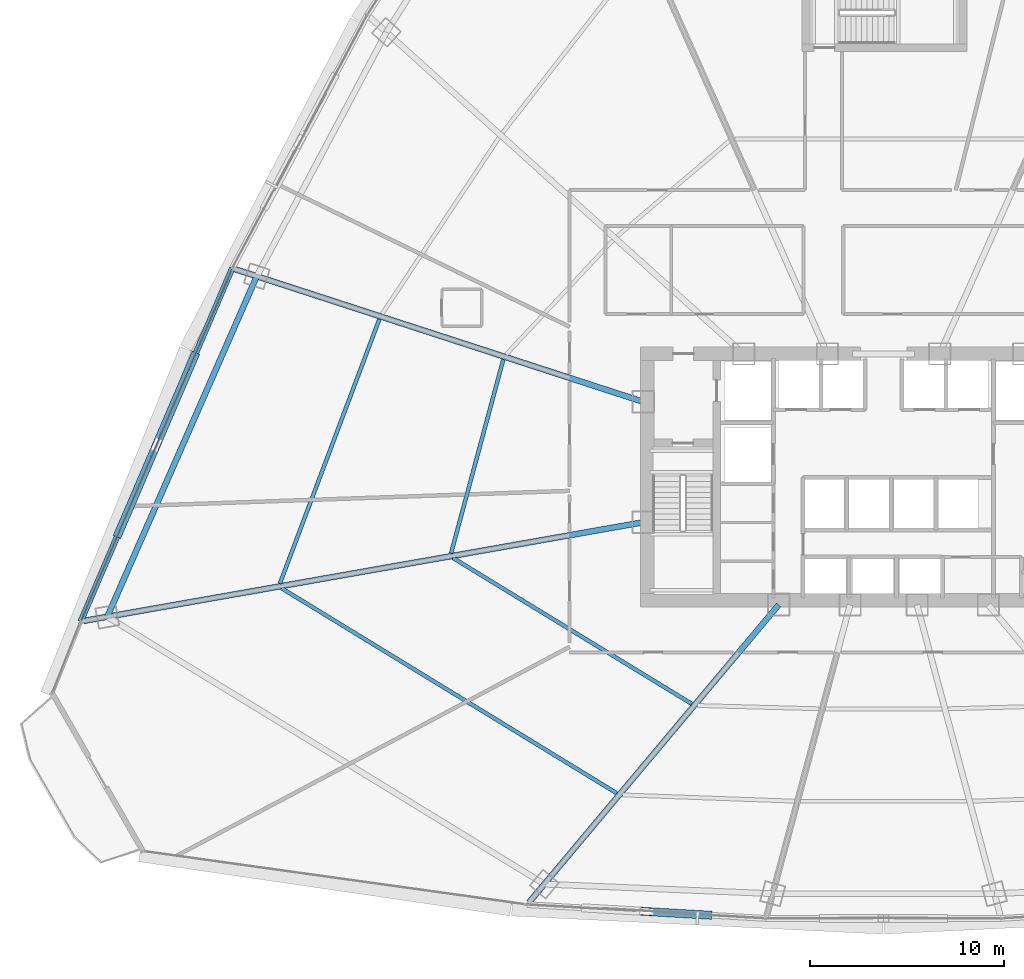
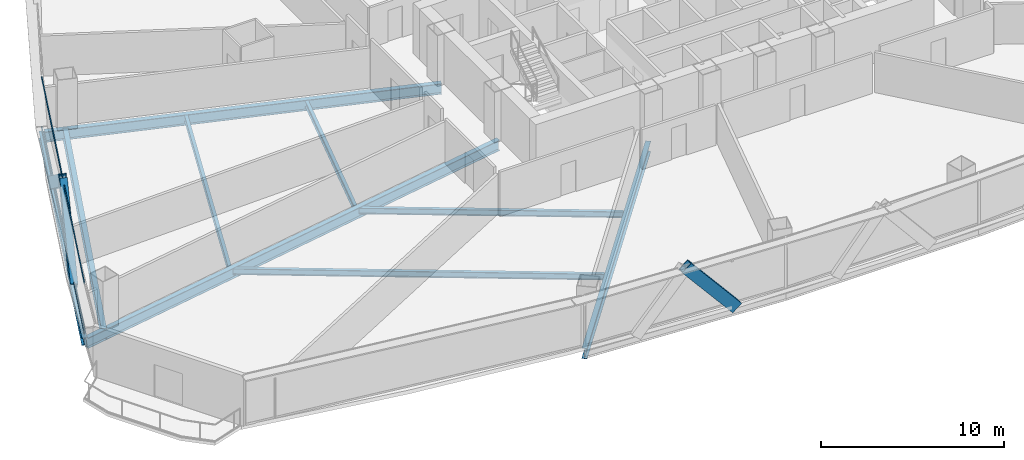
# One storey, part 7 of 37: 9 beams, 5 members, 1 element without a shape of its own.
"""IFC4 building model written with IfcOpenShell, lengths in metres."""

from ifc_helpers import new_model, si_unit, direction, frame, origin, origin_2d, place, context, subcontext, project, spatial, hollow_rectangle, i_section, extrude, source, transform, mapped, material, layer, layer_set, material_profile, profile_set, type_object, element, aggregate, save


model = new_model("IFC4")

# Units and contexts
model_context = context("Model", 3, precision=1e-05, world=origin(), true_north=direction((0.0, 1.0)))
body_context = subcontext(model_context, "Body", "Model", "MODEL_VIEW")
ifc_project = project(units=[si_unit("LENGTHUNIT", "METRE"), si_unit("AREAUNIT", "SQUARE_METRE"), si_unit("VOLUMEUNIT", "CUBIC_METRE"), si_unit("PLANEANGLEUNIT", "RADIAN"), si_unit("MASSUNIT", "GRAM", prefix="KILO"), si_unit("THERMODYNAMICTEMPERATUREUNIT", "KELVIN"), si_unit("POWERUNIT", "WATT")], contexts=[model_context])

# Site, building, storey
site_placement = place(None, origin())
site = spatial("IfcSite", under=ifc_project, at=site_placement, CompositionType="ELEMENT")
building_placement = place(site_placement, origin())
building = spatial("IfcBuilding", under=site, at=building_placement, Name="Yunzhuo Pagoda Commons", CompositionType="ELEMENT")
storey_placement = place(building_placement, frame((0.0, 0.0, 52.179931640625)))
storey = spatial("IfcBuildingStorey", under=building, at=storey_placement, Name="L13", CompositionType="ELEMENT", Elevation=52.179931640625)

# Beams
ifc_material_1 = material(Name="Structural steel Q355B", Category="steel")
ifc_material_profile_1 = material_profile(ifc_material_1, i_section(OverallWidth=0.300048828125, OverallDepth=0.699951171875, WebThickness=0.012939453125, FlangeThickness=0.02392578125, at=origin_2d()), Name="Structural steel Q355B")
ifc_profile_set_1 = profile_set([ifc_material_profile_1], Name="Structural steel Q355B")
beam_type_1 = type_object("IfcBeamType", Name="B-RG1 Beam HN 700x300x13x24", PredefinedType="BEAM", material=ifc_profile_set_1)
shared_shape_1 = source(origin(), body_context, "Body", "SweptSolid", [
    extrude(i_section(OverallWidth=0.300048828125, OverallDepth=0.699951171875, WebThickness=0.012939453125, FlangeThickness=0.02392578125, at=origin_2d()), origin(), (0.0, 0.0, 1.0), 19.18603515625),
])
beam_1_placement = place(storey_placement, frame((15.66455078125, 44.206298828125, -0.60986328125), z_axis=(-0.40196534204, -0.915654882474, 0.0), x_axis=(0.915654882474, -0.40196534204, 0.0)))
element("IfcBeam", 1, at=beam_1_placement, inside=storey, type_object=beam_type_1, Name="L13 column-ring beam 11", PredefinedType="BEAM", context=body_context, shape_type="MappedRepresentation", body=[
    mapped(shared_shape_1, transform((0.0, 0.0, 0.0), scale=1.0)),
])
ifc_material_profile_2 = material_profile(ifc_material_1, i_section(OverallWidth=0.199951171875, OverallDepth=0.39990234375, WebThickness=0.008056640625, FlangeThickness=0.012939453125, at=origin_2d()), Name="Structural steel Q355B")
ifc_profile_set_2 = profile_set([ifc_material_profile_2], Name="Structural steel Q355B")
beam_type_2 = type_object("IfcBeamType", Name="B-JS1 Joist HN 400x200x8x13", PredefinedType="JOIST", material=ifc_profile_set_2)
shared_shape_2 = source(origin(), body_context, "Body", "SweptSolid", [
    extrude(i_section(OverallWidth=0.199951171875, OverallDepth=0.39990234375, WebThickness=0.008056640625, FlangeThickness=0.012939453125, at=origin_2d()), origin(), (0.0, 0.0, 1.0), 14.4365234375),
])
beam_2_placement = place(storey_placement, frame((25.782470703125, 29.675537109375, -0.4599609375), z_axis=(0.85325633277, -0.521491735876, 0.0), x_axis=(0.521491735876, 0.85325633277, 0.0)))
element("IfcBeam", 2, at=beam_2_placement, inside=storey, type_object=beam_type_2, Name="L13 composite ring joist 1.12", PredefinedType="JOIST", context=body_context, shape_type="MappedRepresentation", body=[
    mapped(shared_shape_2, transform((0.0, 0.0, 0.0), scale=1.0)),
])
shared_shape_3 = source(origin(), body_context, "Body", "SweptSolid", [
    extrude(i_section(OverallWidth=0.199951171875, OverallDepth=0.39990234375, WebThickness=0.008056640625, FlangeThickness=0.012939453125, at=origin_2d()), origin(), (0.0, 0.0, 1.0), 20.275634765625),
])
beam_3_placement = place(storey_placement, frame((16.935302734375, 28.11572265625, -0.4599609375), z_axis=(0.853102898066, -0.521742700295, 0.0), x_axis=(0.521742700295, 0.853102898066, 0.0)))
element("IfcBeam", 3, at=beam_3_placement, inside=storey, type_object=beam_type_2, Name="L13 composite ring joist 2.12", PredefinedType="JOIST", context=body_context, shape_type="MappedRepresentation", body=[
    mapped(shared_shape_3, transform((0.0, 0.0, 0.0), scale=1.0)),
])
shared_shape_4 = source(origin(), body_context, "Body", "SweptSolid", [
    extrude(i_section(OverallWidth=0.199951171875, OverallDepth=0.39990234375, WebThickness=0.008056640625, FlangeThickness=0.012939453125, at=origin_2d()), origin(), (0.0, 0.0, 1.0), 10.351806640625),
])
beam_4_placement = place(storey_placement, frame((28.3818359375, 39.9072265625, -0.4599609375), z_axis=(-0.260208595802, -0.965552425646, 0.0), x_axis=(0.965552425646, -0.260208595802, 0.0)))
element("IfcBeam", 4, at=beam_4_placement, inside=storey, type_object=beam_type_2, Name="L13 composite ring joist 1.11", PredefinedType="JOIST", context=body_context, shape_type="MappedRepresentation", body=[
    mapped(shared_shape_4, transform((0.0, 0.0, 0.0), scale=1.0)),
])
shared_shape_5 = source(origin(), body_context, "Body", "SweptSolid", [
    extrude(i_section(OverallWidth=0.199951171875, OverallDepth=0.39990234375, WebThickness=0.008056640625, FlangeThickness=0.012939453125, at=origin_2d()), origin(), (0.0, 0.0, 1.0), 14.571044921875),
])
beam_5_placement = place(storey_placement, frame((21.98779296875, 41.98486328125, -0.4599609375), z_axis=(-0.352208383632, -0.935921607027, 0.0), x_axis=(0.935921607027, -0.352208383632, 0.0)))
element("IfcBeam", 5, at=beam_5_placement, inside=storey, type_object=beam_type_2, Name="L13 composite ring joist 2.11", PredefinedType="JOIST", context=body_context, shape_type="MappedRepresentation", body=[
    mapped(shared_shape_5, transform((0.0, 0.0, 0.0), scale=1.0)),
])
shared_shape_6 = source(origin(), body_context, "Body", "SweptSolid", [
    extrude(i_section(OverallWidth=0.300048828125, OverallDepth=0.699951171875, WebThickness=0.012939453125, FlangeThickness=0.02392578125, at=origin_2d()), origin(), (0.0, 0.0, 1.0), 20.031005859375),
])
beam_6_placement = place(storey_placement, frame((29.712158203125, 11.9052734375, -0.60986328125), z_axis=(0.642786965849, 0.766044983362, 0.0), x_axis=(-0.766044983362, 0.642786965849, 0.0)))
element("IfcBeam", 6, at=beam_6_placement, inside=storey, type_object=beam_type_1, Name="L13 radial floor girder F1C1", PredefinedType="BEAM", context=body_context, shape_type="MappedRepresentation", body=[
    mapped(shared_shape_6, transform((0.0, 0.0, 0.0), scale=1.0)),
])
shared_shape_7 = source(origin(), body_context, "Body", "SweptSolid", [
    extrude(i_section(OverallWidth=0.300048828125, OverallDepth=0.699951171875, WebThickness=0.012939453125, FlangeThickness=0.02392578125, at=origin_2d()), origin(), (0.0, 0.0, 1.0), 29.313232421875),
])
beam_7_placement = place(storey_placement, frame((6.732177734375, 26.42333984375, -0.60986328125), z_axis=(0.984808367131, 0.173644694792, 0.0), x_axis=(-0.173644694792, 0.984808367131, 0.0)))
element("IfcBeam", 7, at=beam_7_placement, inside=storey, type_object=beam_type_1, Name="L13 radial floor girder F3C4", PredefinedType="BEAM", context=body_context, shape_type="MappedRepresentation", body=[
    mapped(shared_shape_7, transform((0.0, 0.0, 0.0), scale=1.0)),
])
shared_shape_8 = source(origin(), body_context, "Body", "SweptSolid", [
    extrude(i_section(OverallWidth=0.300048828125, OverallDepth=0.699951171875, WebThickness=0.012939453125, FlangeThickness=0.02392578125, at=origin_2d()), origin(), (0.0, 0.0, 1.0), 22.139404296875),
])
beam_8_placement = place(storey_placement, frame((14.54443359375, 44.570556640625, -0.60986328125), z_axis=(0.951054488387, -0.309023235565, 0.0), x_axis=(0.309023235565, 0.951054488387, 0.0)))
element("IfcBeam", 8, at=beam_8_placement, inside=storey, type_object=beam_type_1, Name="L13 radial floor girder F3C3", PredefinedType="BEAM", context=body_context, shape_type="MappedRepresentation", body=[
    mapped(shared_shape_8, transform((0.0, 0.0, 0.0), scale=1.0)),
])
ifc_material_profile_3 = material_profile(ifc_material_1, i_section(OverallWidth=0.300048828125, OverallDepth=0.488037109375, WebThickness=0.010986328125, FlangeThickness=0.01806640625, at=origin_2d()), Name="Structural steel Q355B")
ifc_profile_set_3 = profile_set([ifc_material_profile_3], Name="Structural steel Q355B")
beam_type_3 = type_object("IfcBeamType", Name="B-SP1 Beam HM 488x300x11x18", PredefinedType="BEAM", material=ifc_profile_set_3)
shared_shape_9 = source(origin(), body_context, "Body", "SweptSolid", [
    extrude(i_section(OverallWidth=0.300048828125, OverallDepth=0.488037109375, WebThickness=0.010986328125, FlangeThickness=0.01806640625, at=origin_2d()), origin(), (0.0, 0.0, 1.0), 19.828125),
])
beam_9_placement = place(storey_placement, frame((14.397216796875, 44.618408203125, -0.50390625), z_axis=(-0.394280372783, -0.918990199969, 0.0), x_axis=(0.918990199969, -0.394280372783, 0.0)))
element("IfcBeam", 9, at=beam_9_placement, inside=storey, type_object=beam_type_3, Name="L13 facade edge spandrel beam F3.3", PredefinedType="BEAM", context=body_context, shape_type="MappedRepresentation", body=[
    mapped(shared_shape_9, transform((0.0, 0.0, 0.0), scale=1.0)),
])

# Members
ifc_material_2 = material(Name="Structural steel Q420B", Category="steel")
ifc_material_profile_4 = material_profile(ifc_material_2, hollow_rectangle(XDim=0.419921875, YDim=0.719970703125, WallThickness=0.028076171875, at=origin_2d()), Name="Structural steel Q420B")
ifc_profile_set_4 = profile_set([ifc_material_profile_4], Name="Structural steel Q420B")
member_type_1 = type_object("IfcMemberType", Name="M-DL1 Brace BOX 720x420x28", PredefinedType="BRACE", material=ifc_profile_set_4)
shared_shape_10 = source(origin(), body_context, "Body", "SweptSolid", [
    extrude(hollow_rectangle(XDim=0.419921875, YDim=0.719970703125, WallThickness=0.028076171875, at=origin_2d()), origin(), (0.0, 0.0, 1.0), 4.764892578125),
])
member_1_placement = place(storey_placement, frame((38.856201171875, 11.2529296875, -0.260009765625), z_axis=(-0.646672528311, 0.037301133081, 0.761855148043), x_axis=(-0.057585922133, -0.998340553905, 0.0)))
element("IfcMember", 10, at=member_1_placement, inside=storey, type_object=member_type_1, Name="L13 facade diamond brace F1.1R", PredefinedType="BRACE", context=body_context, shape_type="MappedRepresentation", body=[
    mapped(shared_shape_10, transform((0.0, 0.0, 0.0), scale=1.0)),
])
shared_shape_11 = source(origin(), body_context, "Body", "SweptSolid", [
    extrude(hollow_rectangle(XDim=0.419921875, YDim=0.719970703125, WallThickness=0.028076171875, at=origin_2d()), origin(), (0.0, 0.0, 1.0), 6.14404296875),
])
for number, where, z_axis, x_axis, name in (
    (11, (12.442626953125, 40.062744140625, -0.260009765625), (-0.318088420968, -0.741438082054, 0.590837817786), (0.918997208693, -0.394264036421, 0.0), "L13 facade diamond brace F3.3L"),
    (12, (8.53369140625, 30.951904296875, -0.260009765625), (0.318124135988, 0.741428710143, 0.590830349489), (-0.918979362661, 0.394305631463, 0.0), "L13 facade diamond brace F3.3R"),
):
    element("IfcMember", number, at=place(storey_placement, frame(where, z_axis=z_axis, x_axis=x_axis)), inside=storey, type_object=member_type_1, Name=name, PredefinedType="BRACE", context=body_context, shape_type="MappedRepresentation", body=[
        mapped(shared_shape_11, transform((0.0, 0.0, 0.0), scale=1.0)),
    ])

# Curtain wall, members
ifc_material_3 = material(Name="Anodized aluminium 6063-T6", Category="aluminium")
ifc_layer = layer(ifc_material_3, 0.1650390625)
ifc_layer_set = layer_set([ifc_layer], Name="Anodized aluminium 6063-T6")
curtain_wall_type = type_object("IfcCurtainWallType", Name="CW-LOW Low-Zone Ribbon Curtain Wall", PredefinedType="NOTDEFINED", material=ifc_layer_set)
curtain_wall_placement = place(storey_placement, origin())
curtain_wall = element("IfcCurtainWall", 13, at=curtain_wall_placement, inside=storey, type_object=curtain_wall_type, Name="L13 curtain wall CW-L13-F3B4", PredefinedType="NOTDEFINED")
ifc_material_profile_5 = material_profile(ifc_material_3, hollow_rectangle(XDim=0.06005859375, YDim=0.139892578125, WallThickness=0.00341796875, at=origin_2d()), Name="Anodized aluminium 6063-T6")
ifc_profile_set_5 = profile_set([ifc_material_profile_5], Name="Anodized aluminium 6063-T6")
member_type_2 = type_object("IfcMemberType", Name="CW-LOW-T Transom RHS 140x60x3.5", PredefinedType="USERDEFINED", material=ifc_profile_set_5)
shared_shape_12 = source(origin(), body_context, "Body", "SweptSolid", [
    extrude(hollow_rectangle(XDim=0.06005859375, YDim=0.139892578125, WallThickness=0.00341796875, at=origin_2d()), origin(), (0.0, 0.0, 1.0), 19.6982421875),
])
member_2_placement = place(storey_placement, frame((14.37158203125, 44.55859375, 0.030029296875), z_axis=(-0.39426780009, -0.918995594011, 0.0), x_axis=(0.918995594011, -0.39426780009, 0.0)))
member_2 = element("IfcMember", 14, at=member_2_placement, type_object=member_type_2, Name="CW transom 1.1", ObjectType="TRANSOM", PredefinedType="USERDEFINED", context=body_context, shape_type="MappedRepresentation", body=[
    mapped(shared_shape_12, transform((0.0, 0.0, 0.0), scale=1.0)),
])
member_3_placement = place(storey_placement, frame((14.37158203125, 44.55859375, 3.34033203125), z_axis=(-0.39426780009, -0.918995594011, 0.0), x_axis=(0.918995594011, -0.39426780009, 0.0)))
member_3 = element("IfcMember", 15, at=member_3_placement, type_object=member_type_2, Name="CW transom 1.2", ObjectType="TRANSOM", PredefinedType="USERDEFINED", context=body_context, shape_type="MappedRepresentation", body=[
    mapped(shared_shape_12, transform((0.0, 0.0, 0.0), scale=1.0)),
])
aggregate(curtain_wall, [member_2, member_3])

save(model, "model.ifc")
